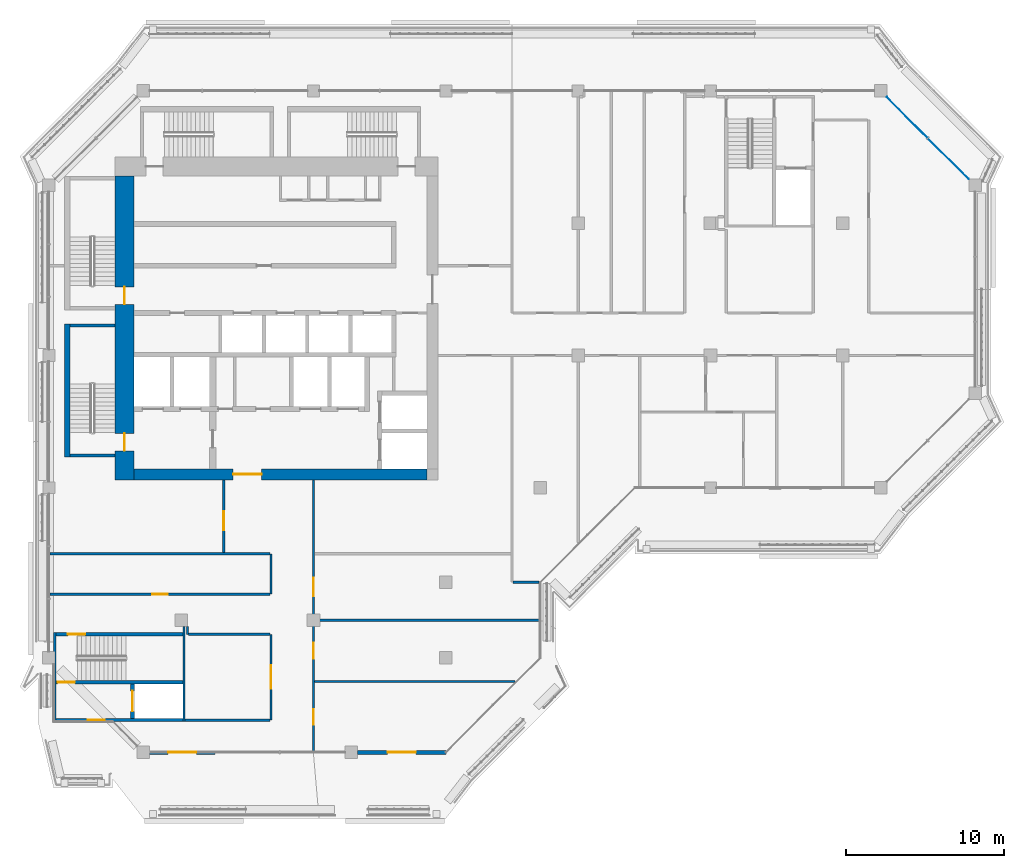
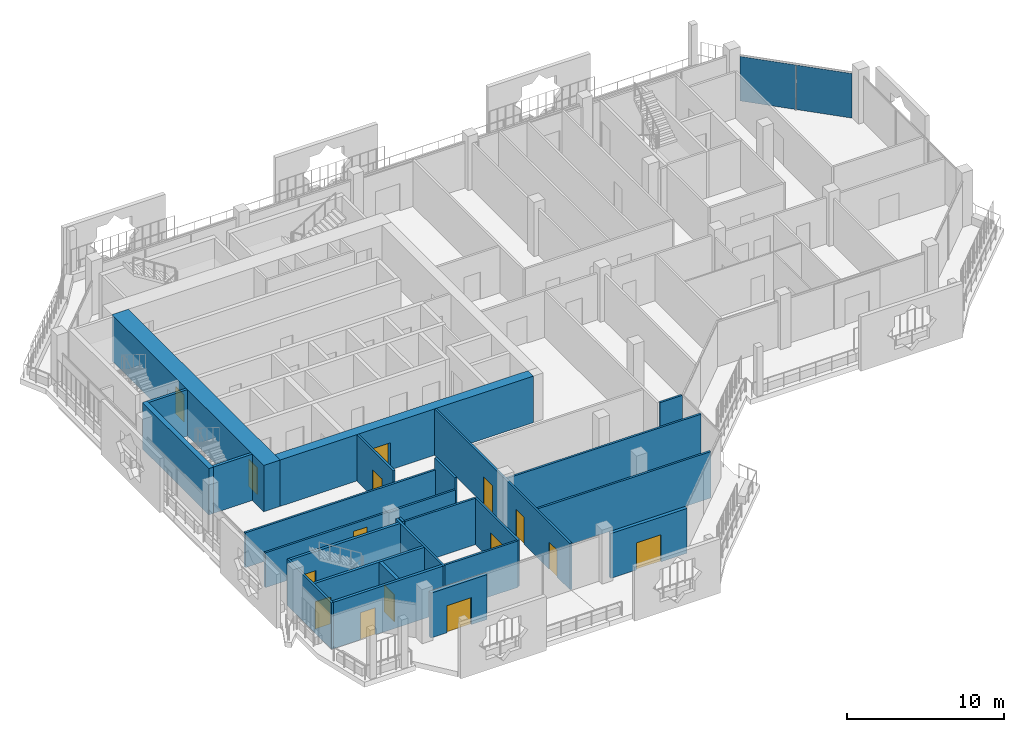
# One storey, part 10 of 22: 25 walls, 15 doors, 2 plates, 15 openings, 1 element without a shape of its own.
"""IFC4 building model written with IfcOpenShell, lengths in metres."""

import ifcopenshell
import ifcopenshell.guid

model = None  # the IFC model being written
_history = None  # IfcOwnerHistory: only IFC2X3 demands one
_inside = {}  # id of a spatial element -> (the spatial element, [elements in it])
_under = {}  # id of a project, library or spatial element -> (it, [spatial elements below it])
_declared = {}  # id of a project -> (the project, [libraries it declares])
_typed = {}  # id of a type object -> (the type object, [elements of that type])
_made_of = {}  # id of a material, layer set ... -> (it, [elements and type objects made of it])


def new_model(schema):
    """Start an empty IFC model of exactly this schema.

    Asked for "IFC4X3", IfcOpenShell would pick the latest addendum, in which some entities
    have other attributes; the version numbers below select the first issue.
    IFC2X3 requires an IfcOwnerHistory on every rooted entity: one is made here for all.
    """
    global model, _history
    if schema == "IFC4X3":
        model = ifcopenshell.file(schema_version=(4, 3, 0, 0))
    else:
        model = ifcopenshell.file(schema=schema)
    _inside.clear()
    _under.clear()
    _declared.clear()
    _typed.clear()
    _made_of.clear()
    _history = None
    if model.schema == "IFC2X3":
        org = make("IfcOrganization", Name="unknown")
        user = make(
            "IfcPersonAndOrganization",
            ThePerson=make("IfcPerson", FamilyName="unknown"),
            TheOrganization=org,
        )
        app = make(
            "IfcApplication",
            ApplicationDeveloper=org,
            Version="unknown",
            ApplicationFullName="unknown",
            ApplicationIdentifier="unknown",
        )
        _history = make(
            "IfcOwnerHistory",
            OwningUser=user,
            OwningApplication=app,
            ChangeAction="ADDED",
            CreationDate=0,
        )
    return model


def make(cls, **values):
    """One entity of the class cls with the attributes given. An attribute that is None is left unset."""
    return model.create_entity(
        cls, **{name: value for name, value in values.items() if value is not None}
    )


def rooted(cls, **values):
    """An entity with a GlobalId (a new one), such as an element, a storey or a relation."""
    return make(cls, GlobalId=ifcopenshell.guid.new(), OwnerHistory=_history, **values)


def si_unit(unit_type, name, prefix=None):
    """IfcSIUnit, for example si_unit("LENGTHUNIT", "METRE", prefix="MILLI")."""
    return make("IfcSIUnit", UnitType=unit_type, Prefix=prefix, Name=name)


def assignment(units):
    """IfcUnitAssignment: the units of a project."""
    return None if units is None else make("IfcUnitAssignment", Units=units)


def point(xyz):
    """IfcCartesianPoint."""
    return None if xyz is None else make("IfcCartesianPoint", Coordinates=xyz)


def direction(xyz):
    """IfcDirection."""
    return None if xyz is None else make("IfcDirection", DirectionRatios=xyz)


def frame(location, z_axis=None, x_axis=None):
    """IfcAxis2Placement3D, a coordinate frame: its origin and axes. An axis left out is left unset."""
    return make(
        "IfcAxis2Placement3D",
        Location=point(location),
        Axis=direction(z_axis),
        RefDirection=direction(x_axis),
    )


def frame_2d(location, x_axis=None):
    """IfcAxis2Placement2D, a coordinate frame in the plane: its origin and x axis."""
    return make(
        "IfcAxis2Placement2D", Location=point(location), RefDirection=direction(x_axis)
    )


def origin():
    """The frame at (0, 0, 0) with its axes left unset."""
    return frame((0.0, 0.0, 0.0))


def origin_2d():
    """The frame at (0, 0) in the plane with its x axis left unset."""
    return frame_2d((0.0, 0.0))


def place(relative_to, where):
    """IfcLocalPlacement: puts the frame where relative to a parent placement (None: the world)."""
    return make(
        "IfcLocalPlacement", PlacementRelTo=relative_to, RelativePlacement=where
    )


def context(
    kind, dimensions, precision=None, world=None, true_north=None, identifier=None
):
    """IfcGeometricRepresentationContext, for example the 3D "Model" context."""
    return make(
        "IfcGeometricRepresentationContext",
        ContextIdentifier=identifier,
        ContextType=kind,
        CoordinateSpaceDimension=dimensions,
        Precision=precision,
        WorldCoordinateSystem=world,
        TrueNorth=true_north,
    )


def subcontext(parent, identifier, kind, view, scale=None):
    """IfcGeometricRepresentationSubContext, for example "Body" below "Model"."""
    return make(
        "IfcGeometricRepresentationSubContext",
        ContextIdentifier=identifier,
        ContextType=kind,
        ParentContext=parent,
        TargetScale=scale,
        TargetView=view,
    )


def project(units=None, contexts=None):
    """IfcProject with its units and contexts."""
    return rooted(
        "IfcProject",
        Name="project",
        RepresentationContexts=contexts,
        UnitsInContext=assignment(units),
    )


def spatial(cls, under=None, at=None, **own):
    """A site, building, storey or space (cls), placed at a placement, below another one or the project."""
    s = rooted(cls, ObjectPlacement=at, **own)
    if under is not None:
        _under.setdefault(under.id(), (under, []))[1].append(s)
    return s


def profile(cls, at=None, kind="AREA", **sizes):
    """A parametric profile (cls). Its sizes go by their IFC names, for example OverallWidth=200.0."""
    return make(cls, ProfileType=kind, Position=at, **sizes)


def rectangle(**sizes):
    """IfcRectangleProfileDef."""
    return profile("IfcRectangleProfileDef", **sizes)


def extrude(swept, where, along, depth):
    """IfcExtrudedAreaSolid: the profile swept, set in the frame where, extruded along a direction by depth."""
    return make(
        "IfcExtrudedAreaSolid",
        SweptArea=swept,
        Position=where,
        ExtrudedDirection=direction(along),
        Depth=depth,
    )


def shape(context_of_items, identifier, shape_type, items):
    """IfcShapeRepresentation: the items that make up one representation, for example the "Body"."""
    return make(
        "IfcShapeRepresentation",
        ContextOfItems=context_of_items,
        RepresentationIdentifier=identifier,
        RepresentationType=shape_type,
        Items=items,
    )


def material(Name=None, Category=None):
    """IfcMaterial."""
    return make("IfcMaterial", Name=Name, Category=Category)


def layer(
    of_material, thickness, ventilated=None, Name=None, Category=None, Priority=None
):
    """IfcMaterialLayer: one layer of a wall or slab, of a material (None: an air gap)."""
    return make(
        "IfcMaterialLayer",
        Material=of_material,
        LayerThickness=thickness,
        IsVentilated=ventilated,
        Name=Name,
        Category=Category,
        Priority=Priority,
    )


def layer_set(layers, Name=None):
    """IfcMaterialLayerSet."""
    return make("IfcMaterialLayerSet", MaterialLayers=layers, LayerSetName=Name)


def made_of(thing, what):
    """Note that an element or type object is made of a material, layer set ...; save() writes the relation."""
    if what is not None:
        _made_of.setdefault(what.id(), (what, []))[1].append(thing)
    return thing


def type_object(cls, material=None, **own):
    """A type object (cls), such as IfcWallType, which elements share."""
    return made_of(rooted(cls, **own), material)


def element(
    cls,
    number,
    at=None,
    inside=None,
    cuts=None,
    type_object=None,
    material=None,
    context=None,
    identifier="Body",
    shape_type=None,
    held_by="IfcProductDefinitionShape",
    body=None,
    shapes=None,
    **own,
):
    """One element of the class cls, such as IfcWall. Its Tag is "e" and its number.

    at: its placement. inside: the storey or other place that contains it. cuts: it is an
    opening in that element (IfcRelVoidsElement). A single representation is given by context,
    identifier, shape_type and body (its items); several are given by shapes. held_by: the class
    of the entity that holds the representations. save() writes the other relations.
    """
    e = rooted(cls, Tag="e%d" % number, ObjectPlacement=at, **own)
    if body is not None:
        shapes = [shape(context, identifier, shape_type, body)]
    if shapes is not None:
        e.Representation = make(held_by, Representations=shapes)
    if inside is not None:
        _inside.setdefault(inside.id(), (inside, []))[1].append(e)
    if cuts is not None:
        rooted(
            "IfcRelVoidsElement", RelatingBuildingElement=cuts, RelatedOpeningElement=e
        )
    if type_object is not None:
        _typed.setdefault(type_object.id(), (type_object, []))[1].append(e)
    return made_of(e, material)


def fill(opening, filler):
    """IfcRelFillsElement: the door or window that sits in an opening."""
    return rooted(
        "IfcRelFillsElement",
        RelatingOpeningElement=opening,
        RelatedBuildingElement=filler,
    )


def aggregate(whole, parts):
    """IfcRelAggregates: a whole, such as a stair, and the parts it consists of."""
    return rooted("IfcRelAggregates", RelatingObject=whole, RelatedObjects=parts)


def save(model, path):
    """Write the relations noted so far, then the file.

    IfcRelAggregates (storeys below a building ...), IfcRelContainedInSpatialStructure (elements
    in a storey), IfcRelDefinesByType, IfcRelAssociatesMaterial and IfcRelDeclares: one each for
    every whole, place, type object, material and project.
    """
    for whole, parts in _under.values():
        aggregate(whole, parts)
    for where, things in _inside.values():
        rooted(
            "IfcRelContainedInSpatialStructure",
            RelatedElements=things,
            RelatingStructure=where,
        )
    for kind, things in _typed.values():
        rooted("IfcRelDefinesByType", RelatedObjects=things, RelatingType=kind)
    for what, things in _made_of.values():
        rooted("IfcRelAssociatesMaterial", RelatedObjects=things, RelatingMaterial=what)
    for by, libraries in _declared.values():
        rooted("IfcRelDeclares", RelatingContext=by, RelatedDefinitions=libraries)
    model.write(path)


model = new_model("IFC4")

# Units and contexts
model_context = context("Model", 3, precision=1e-05, world=origin(), true_north=direction((0.0, 1.0)))
body_context = subcontext(model_context, "Body", "Model", "MODEL_VIEW")
ifc_project = project(units=[si_unit("LENGTHUNIT", "METRE"), si_unit("AREAUNIT", "SQUARE_METRE"), si_unit("VOLUMEUNIT", "CUBIC_METRE"), si_unit("PLANEANGLEUNIT", "RADIAN"), si_unit("MASSUNIT", "GRAM", prefix="KILO")], contexts=[model_context])

# Site, building, storey
site_placement = place(None, origin())
site = spatial("IfcSite", under=ifc_project, at=site_placement, CompositionType="ELEMENT")
building_placement = place(site_placement, origin())
building = spatial("IfcBuilding", under=site, at=building_placement, Name="Kawkab Arch Medical Tower", CompositionType="ELEMENT")
storey_placement = place(building_placement, frame((0.0, 0.0, 298.60009765625)))
storey = spatial("IfcBuildingStorey", under=building, at=storey_placement, Name="L69", CompositionType="ELEMENT", Elevation=298.60009765625)

# Curtain wall, plates
ifc_material_1 = material(Name="Bronze anodised aluminium curtain wall frame", Category="aluminium")
ifc_layer_1 = layer(ifc_material_1, 0.159912109375)
ifc_layer_set_1 = layer_set([ifc_layer_1], Name="Bronze anodised aluminium curtain wall frame")
curtain_wall_type = type_object("IfcCurtainWallType", Name="CW2 chamfer curtain wall", PredefinedType="NOTDEFINED", material=ifc_layer_set_1)
curtain_wall_placement = place(storey_placement, origin())
curtain_wall = element("IfcCurtainWall", 1, at=curtain_wall_placement, inside=storey, type_object=curtain_wall_type, Name="CW2 Chamfer curtain wall R14", PredefinedType="NOTDEFINED")
ifc_material_2 = material(Name="Tinted insulating glass, bronze low-e coating", Category="glass")
ifc_layer_2 = layer(ifc_material_2, 0.031982421875)
ifc_layer_set_2 = layer_set([ifc_layer_2], Name="Tinted insulating glass, bronze low-e coating")
plate_type = type_object("IfcPlateType", Name="CW2 glazing unit 32", PredefinedType="CURTAIN_PANEL", material=ifc_layer_set_2)
plate_1_placement = place(storey_placement, frame((57.110595703125, -4.310546875, 0.0), z_axis=(0.0, 0.0, 1.0), x_axis=(-0.707106781187, 0.707106781187, 0.0)))
plate_1 = element("IfcPlate", 2, at=plate_1_placement, type_object=plate_type, Name="CW2 glazing unit 1.1", PredefinedType="CURTAIN_PANEL", context=body_context, shape_type="SweptSolid", body=[
    extrude(rectangle(XDim=3.64697265625, YDim=0.031982421875, at=origin_2d()), origin(), (0.0, 0.0, 1.0), 3.4599609375),
])
plate_2_placement = place(storey_placement, frame((54.489501953125, -1.689453125, 0.0), z_axis=(0.0, 0.0, 1.0), x_axis=(-0.707106781187, 0.707106781187, 0.0)))
plate_2 = element("IfcPlate", 3, at=plate_2_placement, type_object=plate_type, Name="CW2 glazing unit 1.2", PredefinedType="CURTAIN_PANEL", context=body_context, shape_type="SweptSolid", body=[
    extrude(rectangle(XDim=3.64697265625, YDim=0.031982421875, at=origin_2d()), origin(), (0.0, 0.0, 1.0), 3.4599609375),
])
aggregate(curtain_wall, [plate_1, plate_2])

# Wall, openings, doors
ifc_material_3 = material(Name="Concrete C50/60", Category="concrete")
ifc_layer_3 = layer(ifc_material_3, 1.199951171875)
ifc_layer_set_3 = layer_set([ifc_layer_3], Name="Concrete C50/60")
wall_type_1 = type_object("IfcWallType", Name="Core ring wall 1200 C50/60", PredefinedType="SHEAR", material=ifc_layer_set_3)
wall_1_placement = place(storey_placement, frame((4.800048828125, -24.699951171875, 0.0), z_axis=(0.0, 0.0, 1.0), x_axis=(0.0, 1.0, 0.0)))
wall_1 = element("IfcWall", 4, at=wall_1_placement, inside=storey, type_object=wall_type_1, Name="L69 core wall", PredefinedType="SHEAR", context=body_context, shape_type="SweptSolid", body=[
    extrude(rectangle(XDim=19.300048828125, YDim=1.199951171875, at=frame_2d((9.64990234375, 0.0))), origin(), (0.0, 0.0, 1.0), 3.599853515625),
])
opening_1_placement = place(wall_1_placement, frame((11.14990234375, 0.0, 0.0)))
opening_1 = element("IfcOpeningElement", 5, at=opening_1_placement, cuts=wall_1, Name="Opening SD", PredefinedType="OPENING", context=body_context, shape_type="SweptSolid", body=[
    extrude(rectangle(XDim=1.10009765625, YDim=2.10009765625, at=frame_2d((0.550048828125, 1.050048828125))), frame((0.0, 0.60986328125, 0.0), z_axis=(0.0, -1.0, 0.0), x_axis=(1.0, 0.0, 0.0)), (0.0, 0.0, 1.0), 1.219970703125),
])
opening_2_placement = place(wall_1_placement, frame((1.85009765625, 0.0, 0.0)))
opening_2 = element("IfcOpeningElement", 6, at=opening_2_placement, cuts=wall_1, Name="Opening SD", PredefinedType="OPENING", context=body_context, shape_type="SweptSolid", body=[
    extrude(rectangle(XDim=1.10009765625, YDim=2.10009765625, at=frame_2d((0.550048828125, 1.050048828125))), frame((0.0, 0.60986328125, 0.0), z_axis=(0.0, -1.0, 0.0), x_axis=(1.0, 0.0, 0.0)), (0.0, 0.0, 1.0), 1.219970703125),
])
ifc_material_4 = material(Name="Hollow metal fire door leaf")
door_type_1 = type_object("IfcDoorType", Name="Exit stair door 1100", OperationType="SINGLE_SWING_LEFT", PredefinedType="DOOR", material=ifc_material_4)
door_1_placement = place(opening_1_placement, origin())
door_1 = element("IfcDoor", 7, at=door_1_placement, inside=storey, type_object=door_type_1, Name="L69 Exit stair ST1 door", OperationType="SINGLE_SWING_LEFT", OverallHeight=2.10009765625, OverallWidth=1.10009765625, PredefinedType="DOOR", context=body_context, shape_type="SweptSolid", body=[
    extrude(rectangle(XDim=1.10009765625, YDim=2.10009765625, at=frame_2d((0.550048828125, 1.050048828125))), frame((0.0, 0.02490234375, 0.0), z_axis=(0.0, -1.0, 0.0), x_axis=(1.0, 0.0, 0.0)), (0.0, 0.0, 1.0), 0.050048828125),
])
fill(opening_1, door_1)
door_2_placement = place(opening_2_placement, origin())
door_2 = element("IfcDoor", 8, at=door_2_placement, inside=storey, type_object=door_type_1, Name="L69 Exit stair ST2 door", OperationType="SINGLE_SWING_LEFT", OverallHeight=2.10009765625, OverallWidth=1.10009765625, PredefinedType="DOOR", context=body_context, shape_type="SweptSolid", body=[
    extrude(rectangle(XDim=1.10009765625, YDim=2.10009765625, at=frame_2d((0.550048828125, 1.050048828125))), frame((0.0, 0.02490234375, 0.0), z_axis=(0.0, -1.0, 0.0), x_axis=(1.0, 0.0, 0.0)), (0.0, 0.0, 1.0), 0.050048828125),
])
fill(opening_2, door_2)

# Wall, opening, door
ifc_material_5 = material(Name="Concrete C50/60", Category="concrete")
ifc_layer_4 = layer(ifc_material_5, 0.699951171875)
ifc_layer_set_4 = layer_set([ifc_layer_4], Name="Concrete C50/60")
wall_type_2 = type_object("IfcWallType", Name="Core ring wall 700 C50/60", PredefinedType="SHEAR", material=ifc_layer_set_4)
wall_2_placement = place(storey_placement, frame((5.39990234375, -24.35009765625, 0.0), z_axis=(0.0, 0.0, 1.0), x_axis=(1.0, 0.0, 0.0)))
wall_2 = element("IfcWall", 9, at=wall_2_placement, inside=storey, type_object=wall_type_2, Name="L69 core wall", PredefinedType="SHEAR", context=body_context, shape_type="SweptSolid", body=[
    extrude(rectangle(XDim=18.60009765625, YDim=0.699951171875, at=frame_2d((9.300048828125, 0.0))), origin(), (0.0, 0.0, 1.0), 3.599853515625),
])
opening_3_placement = place(wall_2_placement, frame((6.300048828125, 0.0, 0.0)))
opening_3 = element("IfcOpeningElement", 10, at=opening_3_placement, cuts=wall_2, Name="Opening PD", PredefinedType="OPENING", context=body_context, shape_type="SweptSolid", body=[
    extrude(rectangle(XDim=1.800048828125, YDim=2.10009765625, at=frame_2d((0.89990234375, 1.050048828125))), frame((0.0, 0.35986328125, 0.0), z_axis=(0.0, -1.0, 0.0), x_axis=(1.0, 0.0, 0.0)), (0.0, 0.0, 1.0), 0.719970703125),
])
ifc_material_6 = material(Name="Hollow metal fire door leaf")
door_type_2 = type_object("IfcDoorType", Name="Core entrance doors 1800", OperationType="DOUBLE_DOOR_SINGLE_SWING", PredefinedType="DOOR", material=ifc_material_6)
door_3_placement = place(opening_3_placement, origin())
door_3 = element("IfcDoor", 11, at=door_3_placement, inside=storey, type_object=door_type_2, Name="L69 South entrance doors", OperationType="DOUBLE_DOOR_SINGLE_SWING", OverallHeight=2.10009765625, OverallWidth=1.800048828125, PredefinedType="DOOR", context=body_context, shape_type="SweptSolid", body=[
    extrude(rectangle(XDim=1.800048828125, YDim=2.10009765625, at=frame_2d((0.89990234375, 1.050048828125))), frame((0.0, 0.02490234375, 0.0), z_axis=(0.0, -1.0, 0.0), x_axis=(1.0, 0.0, 0.0)), (0.0, 0.0, 1.0), 0.050048828125),
])
fill(opening_3, door_3)

ifc_material_7 = material(Name="Concrete C60/75", Category="concrete")
ifc_layer_5 = layer(ifc_material_7, 0.25)
ifc_layer_set_5 = layer_set([ifc_layer_5], Name="Concrete C60/75")
wall_type_3 = type_object("IfcWallType", Name="Core shear wall 250 C60/75", PredefinedType="SHEAR", material=ifc_layer_set_5)
wall_3_placement = place(storey_placement, frame((5.300048828125, -39.85009765625, 0.0), z_axis=(0.0, 0.0, 1.0), x_axis=(0.0, 1.0, 0.0)))
wall_3 = element("IfcWall", 12, at=wall_3_placement, inside=storey, type_object=wall_type_3, Name="L69 core shear wall", PredefinedType="SHEAR", context=body_context, shape_type="SweptSolid", body=[
    extrude(rectangle(XDim=2.2001953125, YDim=0.25, at=frame_2d((1.10009765625, 0.0))), origin(), (0.0, 0.0, 1.0), 3.599853515625),
])
opening_4_placement = place(wall_3_placement, frame((0.449951171875, 0.0, 0.0)))
opening_4 = element("IfcOpeningElement", 13, at=opening_4_placement, cuts=wall_3, Name="Opening LD2", PredefinedType="OPENING", context=body_context, shape_type="SweptSolid", body=[
    extrude(rectangle(XDim=1.300048828125, YDim=2.10009765625, at=frame_2d((0.64990234375, 1.050048828125))), frame((0.0, 0.135009765625, 0.0), z_axis=(0.0, -1.0, 0.0), x_axis=(1.0, 0.0, 0.0)), (0.0, 0.0, 1.0), 0.27001953125),
])
ifc_material_8 = material(Name="Stainless steel lift door leaf", Category="steel")
door_type_3 = type_object("IfcDoorType", Name="Lift landing door 1300", OperationType="DOUBLE_DOOR_SLIDING", PredefinedType="DOOR", material=ifc_material_8)
door_4_placement = place(opening_4_placement, origin())
door_4 = element("IfcDoor", 14, at=door_4_placement, inside=storey, type_object=door_type_3, Name="L69 Lift landing door SV2", OperationType="DOUBLE_DOOR_SLIDING", OverallHeight=2.10009765625, OverallWidth=1.300048828125, PredefinedType="DOOR", context=body_context, shape_type="SweptSolid", body=[
    extrude(rectangle(XDim=1.300048828125, YDim=2.10009765625, at=frame_2d((0.64990234375, 1.050048828125))), frame((0.0, 0.02490234375, 0.0), z_axis=(0.0, -1.0, 0.0), x_axis=(1.0, 0.0, 0.0)), (0.0, 0.0, 1.0), 0.050048828125),
])
fill(opening_4, door_4)

ifc_material_9 = material(Name="Bronze clad insulated wall panel")
ifc_layer_6 = layer(ifc_material_9, 0.25)
ifc_layer_set_6 = layer_set([ifc_layer_6], Name="Bronze clad insulated wall panel")
wall_type_4 = type_object("IfcWallType", Name="External wall bay 250", PredefinedType="SOLIDWALL", material=ifc_layer_set_6)
wall_4_placement = place(storey_placement, frame((6.39990234375, -42.0, 0.0), z_axis=(0.0, 0.0, 1.0), x_axis=(1.0, 0.0, 0.0)))
wall_4 = element("IfcWall", 15, at=wall_4_placement, inside=storey, type_object=wall_type_4, Name="External wall bay L69.R07.1.1", PredefinedType="SOLIDWALL", context=body_context, shape_type="SweptSolid", body=[
    extrude(rectangle(XDim=4.133544921875, YDim=0.25, at=frame_2d((2.06689453125, 0.0))), origin(), (0.0, 0.0, 1.0), 3.47998046875),
])
opening_5_placement = place(wall_4_placement, frame((1.166748046875, 0.0, 0.0)))
opening_5 = element("IfcOpeningElement", 16, at=opening_5_placement, cuts=wall_4, Name="Opening W69-701", PredefinedType="OPENING", context=body_context, shape_type="SweptSolid", body=[
    extrude(rectangle(XDim=1.800048828125, YDim=2.10009765625, at=frame_2d((0.89990234375, 1.050048828125))), frame((0.0, 0.135009765625, 0.0), z_axis=(0.0, -1.0, 0.0), x_axis=(1.0, 0.0, 0.0)), (0.0, 0.0, 1.0), 0.27001953125),
])
ifc_material_10 = material(Name="Bronze anodised aluminium door with tinted glass", Category="aluminium")
door_type_4 = type_object("IfcDoorType", Name="Double external door 1800 x 2100", OperationType="DOUBLE_DOOR_SINGLE_SWING", PredefinedType="DOOR", material=ifc_material_10)
door_5_placement = place(opening_5_placement, origin())
door_5 = element("IfcDoor", 17, at=door_5_placement, inside=storey, type_object=door_type_4, Name="External door L69.R07.1.1", OperationType="DOUBLE_DOOR_SINGLE_SWING", OverallHeight=2.10009765625, OverallWidth=1.800048828125, PredefinedType="DOOR", context=body_context, shape_type="SweptSolid", body=[
    extrude(rectangle(XDim=1.800048828125, YDim=2.10009765625, at=frame_2d((0.89990234375, 1.050048828125))), frame((0.0, 0.02490234375, 0.0), z_axis=(0.0, -1.0, 0.0), x_axis=(1.0, 0.0, 0.0)), (0.0, 0.0, 1.0), 0.050048828125),
])
fill(opening_5, door_5)

wall_5_placement = place(storey_placement, frame((19.60009765625, -42.0, 0.0), z_axis=(0.0, 0.0, 1.0), x_axis=(1.0, 0.0, 0.0)))
wall_5 = element("IfcWall", 18, at=wall_5_placement, inside=storey, type_object=wall_type_4, Name="External wall bay L69.R07.2.1", PredefinedType="SOLIDWALL", context=body_context, shape_type="SweptSolid", body=[
    extrude(rectangle(XDim=5.599853515625, YDim=0.25, at=frame_2d((2.7998046875, 0.0))), origin(), (0.0, 0.0, 1.0), 3.47998046875),
])
opening_6_placement = place(wall_5_placement, frame((1.89990234375, 0.0, 0.0)))
opening_6 = element("IfcOpeningElement", 19, at=opening_6_placement, cuts=wall_5, Name="Opening W69-701", PredefinedType="OPENING", context=body_context, shape_type="SweptSolid", body=[
    extrude(rectangle(XDim=1.800048828125, YDim=2.10009765625, at=frame_2d((0.89990234375, 1.050048828125))), frame((0.0, 0.135009765625, 0.0), z_axis=(0.0, -1.0, 0.0), x_axis=(1.0, 0.0, 0.0)), (0.0, 0.0, 1.0), 0.27001953125),
])
door_6_placement = place(opening_6_placement, origin())
door_6 = element("IfcDoor", 20, at=door_6_placement, inside=storey, type_object=door_type_4, Name="External door L69.R07.2.1", OperationType="DOUBLE_DOOR_SINGLE_SWING", OverallHeight=2.10009765625, OverallWidth=1.800048828125, PredefinedType="DOOR", context=body_context, shape_type="SweptSolid", body=[
    extrude(rectangle(XDim=1.800048828125, YDim=2.10009765625, at=frame_2d((0.89990234375, 1.050048828125))), frame((0.0, 0.02490234375, 0.0), z_axis=(0.0, -1.0, 0.0), x_axis=(1.0, 0.0, 0.0)), (0.0, 0.0, 1.0), 0.050048828125),
])
fill(opening_6, door_6)

# Walls
ifc_material_11 = material(Name="Gypsum board partition on steel studs, mineral wool", Category="steel")
ifc_layer_7 = layer(ifc_material_11, 0.14990234375)
ifc_layer_set_7 = layer_set([ifc_layer_7], Name="Gypsum board partition on steel studs, mineral wool")
wall_type_5 = type_object("IfcWallType", Name="Partition 150", PredefinedType="PARTITIONING", material=ifc_layer_set_7)
wall_6_placement = place(storey_placement, frame((8.64990234375, -39.949951171875, 0.0), z_axis=(0.0, 0.0, 1.0), x_axis=(1.0, 0.0, 0.0)))
element("IfcWall", 21, at=wall_6_placement, inside=storey, type_object=wall_type_5, Name="Partition 150 w004", PredefinedType="PARTITIONING", context=body_context, shape_type="SweptSolid", body=[
    extrude(rectangle(XDim=5.375, YDim=0.14990234375, at=frame_2d((2.6875, 0.0))), origin(), (0.0, 0.0, 1.0), 3.599853515625),
])
wall_7_placement = place(storey_placement, frame((16.875, -37.5, 0.0), z_axis=(0.0, 0.0, 1.0), x_axis=(1.0, 0.0, 0.0)))
element("IfcWall", 22, at=wall_7_placement, inside=storey, type_object=wall_type_5, Name="Partition 150 w005", PredefinedType="PARTITIONING", context=body_context, shape_type="SweptSolid", body=[
    extrude(rectangle(XDim=12.7119140625, YDim=0.14990234375, at=frame_2d((6.35595703125, 0.0))), origin(), (0.0, 0.0, 1.0), 3.599853515625),
])
wall_8_placement = place(storey_placement, frame((8.875, -34.5, 0.0), z_axis=(0.0, 0.0, 1.0), x_axis=(1.0, 0.0, 0.0)))
element("IfcWall", 23, at=wall_8_placement, inside=storey, type_object=wall_type_5, Name="Partition 150 w006", PredefinedType="PARTITIONING", context=body_context, shape_type="SweptSolid", body=[
    extrude(rectangle(XDim=5.14990234375, YDim=0.14990234375, at=frame_2d((2.574951171875, 0.0))), origin(), (0.0, 0.0, 1.0), 3.599853515625),
])
wall_9_placement = place(storey_placement, frame((16.875, -33.60009765625, 0.0), z_axis=(0.0, 0.0, 1.0), x_axis=(1.0, 0.0, 0.0)))
element("IfcWall", 24, at=wall_9_placement, inside=storey, type_object=wall_type_5, Name="Partition 150 w007", PredefinedType="PARTITIONING", context=body_context, shape_type="SweptSolid", body=[
    extrude(rectangle(XDim=14.2451171875, YDim=0.14990234375, at=frame_2d((7.12255859375, 0.0))), origin(), (0.0, 0.0, 1.0), 3.599853515625),
])

# Wall, opening, door
wall_10_placement = place(storey_placement, frame((0.080078125, -31.95703125, 0.0), z_axis=(0.0, 0.0, 1.0), x_axis=(1.0, 0.0, 0.0)))
wall_10 = element("IfcWall", 25, at=wall_10_placement, inside=storey, type_object=wall_type_5, Name="Partition 150 w008", PredefinedType="PARTITIONING", context=body_context, shape_type="SweptSolid", body=[
    extrude(rectangle(XDim=13.94482421875, YDim=0.14990234375, at=frame_2d((6.972412109375, 0.0))), origin(), (0.0, 0.0, 1.0), 2.699951171875),
])
opening_7_placement = place(wall_10_placement, frame((6.469970703125, 0.0, 0.0)))
opening_7 = element("IfcOpeningElement", 26, at=opening_7_placement, cuts=wall_10, Name="Opening W69-014", PredefinedType="OPENING", context=body_context, shape_type="SweptSolid", body=[
    extrude(rectangle(XDim=1.0, YDim=2.10009765625, at=frame_2d((0.5, 1.050048828125))), frame((0.0, 0.0849609375, 0.0), z_axis=(0.0, -1.0, 0.0), x_axis=(1.0, 0.0, 0.0)), (0.0, 0.0, 1.0), 0.169921875),
])
ifc_material_12 = material(Name="Hollow metal door leaf")
door_type_5 = type_object("IfcDoorType", Name="Single door 1000x2100 FD30S", OperationType="NOTDEFINED", PredefinedType="DOOR", material=ifc_material_12)
door_7_placement = place(opening_7_placement, origin())
door_7 = element("IfcDoor", 27, at=door_7_placement, inside=storey, type_object=door_type_5, Name="Door W69-014", OperationType="SINGLE_SWING_RIGHT", OverallHeight=2.10009765625, OverallWidth=1.0, PredefinedType="DOOR", context=body_context, shape_type="SweptSolid", body=[
    extrude(rectangle(XDim=1.0, YDim=2.10009765625, at=frame_2d((0.5, 1.050048828125))), frame((0.0, 0.02490234375, 0.0), z_axis=(0.0, -1.0, 0.0), x_axis=(1.0, 0.0, 0.0)), (0.0, 0.0, 1.0), 0.050048828125),
])
fill(opening_7, door_7)

# Walls
wall_11_placement = place(storey_placement, frame((29.47705078125, -31.199951171875, 0.0), z_axis=(0.0, 0.0, 1.0), x_axis=(1.0, 0.0, 0.0)))
element("IfcWall", 28, at=wall_11_placement, inside=storey, type_object=wall_type_5, Name="Partition 150 w009", PredefinedType="PARTITIONING", context=body_context, shape_type="SweptSolid", body=[
    extrude(rectangle(XDim=1.64306640625, YDim=0.14990234375, at=frame_2d((0.821533203125, 0.0))), origin(), (0.0, 0.0, 1.0), 3.599853515625),
])
wall_12_placement = place(storey_placement, frame((0.080078125, -29.39990234375, 0.0), z_axis=(0.0, 0.0, 1.0), x_axis=(1.0, 0.0, 0.0)))
element("IfcWall", 29, at=wall_12_placement, inside=storey, type_object=wall_type_5, Name="Partition 150 w010", PredefinedType="PARTITIONING", context=body_context, shape_type="SweptSolid", body=[
    extrude(rectangle(XDim=13.94482421875, YDim=0.14990234375, at=frame_2d((6.972412109375, 0.0))), origin(), (0.0, 0.0, 1.0), 2.699951171875),
])
wall_13_placement = place(storey_placement, frame((8.800048828125, -34.5, 0.0), z_axis=(0.0, 0.0, 1.0), x_axis=(0.0, 1.0, 0.0)))
element("IfcWall", 30, at=wall_13_placement, inside=storey, type_object=wall_type_5, Name="Partition 150 w025", PredefinedType="PARTITIONING", context=body_context, shape_type="SweptSolid", body=[
    extrude(rectangle(XDim=0.4990234375, YDim=0.14990234375, at=frame_2d((0.24951171875, 0.0))), origin(), (0.0, 0.0, 1.0), 3.599853515625),
])

# Wall, opening, door
wall_14_placement = place(storey_placement, frame((11.10009765625, -29.324951171875, 0.0), z_axis=(0.0, 0.0, 1.0), x_axis=(0.0, 1.0, 0.0)))
wall_14 = element("IfcWall", 31, at=wall_14_placement, inside=storey, type_object=wall_type_5, Name="Partition 150 w026", PredefinedType="PARTITIONING", context=body_context, shape_type="SweptSolid", body=[
    extrude(rectangle(XDim=4.625, YDim=0.14990234375, at=frame_2d((2.3125, 0.0))), origin(), (0.0, 0.0, 1.0), 3.599853515625),
])
opening_8_placement = place(wall_14_placement, frame((1.425048828125, 0.0, 0.0)))
opening_8 = element("IfcOpeningElement", 32, at=opening_8_placement, cuts=wall_14, Name="Opening W69-022", PredefinedType="OPENING", context=body_context, shape_type="SweptSolid", body=[
    extrude(rectangle(XDim=1.199951171875, YDim=2.10009765625, at=frame_2d((0.60009765625, 1.050048828125))), frame((0.0, 0.0849609375, 0.0), z_axis=(0.0, -1.0, 0.0), x_axis=(1.0, 0.0, 0.0)), (0.0, 0.0, 1.0), 0.169921875),
])
ifc_material_13 = material(Name="Hollow metal door leaf")
door_type_6 = type_object("IfcDoorType", Name="Single door 1200x2100 FD30S", OperationType="NOTDEFINED", PredefinedType="DOOR", material=ifc_material_13)
door_8_placement = place(opening_8_placement, origin())
door_8 = element("IfcDoor", 33, at=door_8_placement, inside=storey, type_object=door_type_6, Name="Door W69-022", OperationType="SINGLE_SWING_LEFT", OverallHeight=2.10009765625, OverallWidth=1.199951171875, PredefinedType="DOOR", context=body_context, shape_type="SweptSolid", body=[
    extrude(rectangle(XDim=1.199951171875, YDim=2.10009765625, at=frame_2d((0.60009765625, 1.050048828125))), frame((0.0, 0.02490234375, 0.0), z_axis=(0.0, -1.0, 0.0), x_axis=(1.0, 0.0, 0.0)), (0.0, 0.0, 1.0), 0.050048828125),
])
fill(opening_8, door_8)

wall_15_placement = place(storey_placement, frame((14.10009765625, -39.949951171875, 0.0), z_axis=(0.0, 0.0, 1.0), x_axis=(0.0, 1.0, 0.0)))
wall_15 = element("IfcWall", 34, at=wall_15_placement, inside=storey, type_object=wall_type_5, Name="Partition 150 w027", PredefinedType="PARTITIONING", context=body_context, shape_type="SweptSolid", body=[
    extrude(rectangle(XDim=5.449951171875, YDim=0.14990234375, at=frame_2d((2.72509765625, 0.0))), origin(), (0.0, 0.0, 1.0), 3.599853515625),
])
opening_9_placement = place(wall_15_placement, frame((1.97509765625, 0.0, 0.0)))
opening_9 = element("IfcOpeningElement", 35, at=opening_9_placement, cuts=wall_15, Name="Opening W69-004", PredefinedType="OPENING", context=body_context, shape_type="SweptSolid", body=[
    extrude(rectangle(XDim=1.5, YDim=2.10009765625, at=frame_2d((0.75, 1.050048828125))), frame((0.0, 0.0849609375, 0.0), z_axis=(0.0, -1.0, 0.0), x_axis=(1.0, 0.0, 0.0)), (0.0, 0.0, 1.0), 0.169921875),
])
ifc_material_14 = material(Name="Hollow metal door leaf")
door_type_7 = type_object("IfcDoorType", Name="Double door 1500x2100 FD30S", OperationType="NOTDEFINED", PredefinedType="DOOR", material=ifc_material_14)
door_9_placement = place(opening_9_placement, origin())
door_9 = element("IfcDoor", 36, at=door_9_placement, inside=storey, type_object=door_type_7, Name="Door W69-004", OperationType="DOUBLE_DOOR_SINGLE_SWING", OverallHeight=2.10009765625, OverallWidth=1.5, PredefinedType="DOOR", context=body_context, shape_type="SweptSolid", body=[
    extrude(rectangle(XDim=1.5, YDim=2.10009765625, at=frame_2d((0.75, 1.050048828125))), frame((0.0, 0.02490234375, 0.0), z_axis=(0.0, -1.0, 0.0), x_axis=(1.0, 0.0, 0.0)), (0.0, 0.0, 1.0), 0.050048828125),
])
fill(opening_9, door_9)

# Wall
wall_16_placement = place(storey_placement, frame((14.10009765625, -31.95703125, 0.0), z_axis=(0.0, 0.0, 1.0), x_axis=(0.0, 1.0, 0.0)))
element("IfcWall", 37, at=wall_16_placement, inside=storey, type_object=wall_type_5, Name="Partition 150 w028", PredefinedType="PARTITIONING", context=body_context, shape_type="SweptSolid", body=[
    extrude(rectangle(XDim=2.55712890625, YDim=0.14990234375, at=frame_2d((1.278564453125, 0.0))), origin(), (0.0, 0.0, 1.0), 3.599853515625),
])

# Wall, openings, doors
wall_17_placement = place(storey_placement, frame((16.800048828125, -41.919921875, 0.0), z_axis=(0.0, 0.0, 1.0), x_axis=(0.0, 1.0, 0.0)))
wall_17 = element("IfcWall", 38, at=wall_17_placement, inside=storey, type_object=wall_type_5, Name="Partition 150 w029", PredefinedType="PARTITIONING", context=body_context, shape_type="SweptSolid", body=[
    extrude(rectangle(XDim=17.219970703125, YDim=0.14990234375, at=frame_2d((8.60986328125, 0.0))), origin(), (0.0, 0.0, 1.0), 3.599853515625),
])
opening_10_placement = place(wall_17_placement, frame((9.820068359375, 0.0, 0.0)))
opening_10 = element("IfcOpeningElement", 39, at=opening_10_placement, cuts=wall_17, Name="Opening W69-023", PredefinedType="OPENING", context=body_context, shape_type="SweptSolid", body=[
    extrude(rectangle(XDim=1.199951171875, YDim=2.10009765625, at=frame_2d((0.60009765625, 1.050048828125))), frame((0.0, 0.0849609375, 0.0), z_axis=(0.0, -1.0, 0.0), x_axis=(1.0, 0.0, 0.0)), (0.0, 0.0, 1.0), 0.169921875),
])
opening_11_placement = place(wall_17_placement, frame((5.8701171875, 0.0, 0.0)))
opening_11 = element("IfcOpeningElement", 40, at=opening_11_placement, cuts=wall_17, Name="Opening W69-015", PredefinedType="OPENING", context=body_context, shape_type="SweptSolid", body=[
    extrude(rectangle(XDim=1.0, YDim=2.10009765625, at=frame_2d((0.5, 1.050048828125))), frame((0.0, 0.0849609375, 0.0), z_axis=(0.0, -1.0, 0.0), x_axis=(1.0, 0.0, 0.0)), (0.0, 0.0, 1.0), 0.169921875),
])
opening_12_placement = place(wall_17_placement, frame((1.669921875, 0.0, 0.0)))
opening_12 = element("IfcOpeningElement", 41, at=opening_12_placement, cuts=wall_17, Name="Opening W69-016", PredefinedType="OPENING", context=body_context, shape_type="SweptSolid", body=[
    extrude(rectangle(XDim=1.0, YDim=2.10009765625, at=frame_2d((0.5, 1.050048828125))), frame((0.0, 0.0849609375, 0.0), z_axis=(0.0, -1.0, 0.0), x_axis=(1.0, 0.0, 0.0)), (0.0, 0.0, 1.0), 0.169921875),
])
door_10_placement = place(opening_11_placement, origin())
door_10 = element("IfcDoor", 42, at=door_10_placement, inside=storey, type_object=door_type_5, Name="Door W69-015", OperationType="SINGLE_SWING_RIGHT", OverallHeight=2.10009765625, OverallWidth=1.0, PredefinedType="DOOR", context=body_context, shape_type="SweptSolid", body=[
    extrude(rectangle(XDim=1.0, YDim=2.10009765625, at=frame_2d((0.5, 1.050048828125))), frame((0.0, 0.02490234375, 0.0), z_axis=(0.0, -1.0, 0.0), x_axis=(1.0, 0.0, 0.0)), (0.0, 0.0, 1.0), 0.050048828125),
])
fill(opening_11, door_10)
door_11_placement = place(opening_12_placement, origin())
door_11 = element("IfcDoor", 43, at=door_11_placement, inside=storey, type_object=door_type_5, Name="Door W69-016", OperationType="SINGLE_SWING_RIGHT", OverallHeight=2.10009765625, OverallWidth=1.0, PredefinedType="DOOR", context=body_context, shape_type="SweptSolid", body=[
    extrude(rectangle(XDim=1.0, YDim=2.10009765625, at=frame_2d((0.5, 1.050048828125))), frame((0.0, 0.02490234375, 0.0), z_axis=(0.0, -1.0, 0.0), x_axis=(1.0, 0.0, 0.0)), (0.0, 0.0, 1.0), 0.050048828125),
])
fill(opening_12, door_11)
door_12_placement = place(opening_10_placement, origin())
door_12 = element("IfcDoor", 44, at=door_12_placement, inside=storey, type_object=door_type_6, Name="Door W69-023", OperationType="SINGLE_SWING_LEFT", OverallHeight=2.10009765625, OverallWidth=1.199951171875, PredefinedType="DOOR", context=body_context, shape_type="SweptSolid", body=[
    extrude(rectangle(XDim=1.199951171875, YDim=2.10009765625, at=frame_2d((0.60009765625, 1.050048828125))), frame((0.0, 0.02490234375, 0.0), z_axis=(0.0, -1.0, 0.0), x_axis=(1.0, 0.0, 0.0)), (0.0, 0.0, 1.0), 0.050048828125),
])
fill(opening_10, door_12)

# Walls
ifc_material_15 = material(Name="Concrete C50/60", Category="concrete")
ifc_layer_8 = layer(ifc_material_15, 0.14990234375)
ifc_layer_set_8 = layer_set([ifc_layer_8], Name="Concrete C50/60")
wall_type_6 = type_object("IfcWallType", Name="Stair enclosure wall 150 C50/60", PredefinedType="SHEAR", material=ifc_layer_set_8)
wall_18_placement = place(storey_placement, frame((0.375, -40.050048828125, 0.0), z_axis=(0.0, 0.0, 1.0), x_axis=(0.0, 1.0, 0.0)))
element("IfcWall", 45, at=wall_18_placement, inside=storey, type_object=wall_type_6, Name="L69 stair enclosure wall", PredefinedType="SHEAR", context=body_context, shape_type="SweptSolid", body=[
    extrude(rectangle(XDim=5.650146484375, YDim=0.14990234375, at=frame_2d((2.8251953125, 0.0))), origin(), (0.0, 0.0, 1.0), 3.599853515625),
])
wall_19_placement = place(storey_placement, frame((8.574951171875, -40.050048828125, 0.0), z_axis=(0.0, 0.0, 1.0), x_axis=(0.0, 1.0, 0.0)))
element("IfcWall", 46, at=wall_19_placement, inside=storey, type_object=wall_type_6, Name="L69 stair enclosure wall", PredefinedType="SHEAR", context=body_context, shape_type="SweptSolid", body=[
    extrude(rectangle(XDim=6.050048828125, YDim=0.14990234375, at=frame_2d((3.02490234375, 0.0))), origin(), (0.0, 0.0, 1.0), 3.599853515625),
])
ifc_material_16 = material(Name="Concrete C50/60", Category="concrete")
ifc_layer_9 = layer(ifc_material_16, 0.199951171875)
ifc_layer_set_9 = layer_set([ifc_layer_9], Name="Concrete C50/60")
wall_type_7 = type_object("IfcWallType", Name="Stair enclosure wall 200 C50/60", PredefinedType="SHEAR", material=ifc_layer_set_9)
for number, where, z_axis, x_axis, name in (
    (47, (1.35009765625, -14.89990234375, 0.0), (0.0, 0.0, 1.0), (1.0, 0.0, 0.0), "L69 stair enclosure wall"),
    (48, (1.35009765625, -23.14990234375, 0.0), (0.0, 0.0, 1.0), (1.0, 0.0, 0.0), "L69 stair enclosure wall"),
):
    element("IfcWall", number, at=place(storey_placement, frame(where, z_axis=z_axis, x_axis=x_axis)), inside=storey, type_object=wall_type_7, Name=name, PredefinedType="SHEAR", context=body_context, shape_type="SweptSolid", body=[
        extrude(rectangle(XDim=2.849853515625, YDim=0.199951171875, at=frame_2d((1.4248046875, 0.0))), origin(), (0.0, 0.0, 1.0), 3.599853515625),
    ])

# Wall, opening, door
wall_20_placement = place(storey_placement, frame((0.449951171875, -34.5, 0.0), z_axis=(0.0, 0.0, 1.0), x_axis=(1.0, 0.0, 0.0)))
wall_20 = element("IfcWall", 49, at=wall_20_placement, inside=storey, type_object=wall_type_7, Name="L69 stair enclosure wall", PredefinedType="SHEAR", context=body_context, shape_type="SweptSolid", body=[
    extrude(rectangle(XDim=8.050048828125, YDim=0.199951171875, at=frame_2d((4.02490234375, 0.0))), origin(), (0.0, 0.0, 1.0), 3.599853515625),
])
opening_13_placement = place(wall_20_placement, frame((0.75, 0.0, 0.0)))
opening_13 = element("IfcOpeningElement", 50, at=opening_13_placement, cuts=wall_20, Name="Opening SD", PredefinedType="OPENING", context=body_context, shape_type="SweptSolid", body=[
    extrude(rectangle(XDim=1.10009765625, YDim=2.10009765625, at=frame_2d((0.550048828125, 1.050048828125))), frame((0.0, 0.10986328125, 0.0), z_axis=(0.0, -1.0, 0.0), x_axis=(1.0, 0.0, 0.0)), (0.0, 0.0, 1.0), 0.219970703125),
])
door_13_placement = place(opening_13_placement, origin())
door_13 = element("IfcDoor", 51, at=door_13_placement, inside=storey, type_object=door_type_1, Name="L69 Exit stair ST6 door", OperationType="SINGLE_SWING_LEFT", OverallHeight=2.10009765625, OverallWidth=1.10009765625, PredefinedType="DOOR", context=body_context, shape_type="SweptSolid", body=[
    extrude(rectangle(XDim=1.10009765625, YDim=2.10009765625, at=frame_2d((0.550048828125, 1.050048828125))), frame((0.0, 0.02490234375, 0.0), z_axis=(0.0, -1.0, 0.0), x_axis=(1.0, 0.0, 0.0)), (0.0, 0.0, 1.0), 0.050048828125),
])
fill(opening_13, door_13)

wall_21_placement = place(storey_placement, frame((0.449951171875, -37.550048828125, 0.0), z_axis=(0.0, 0.0, 1.0), x_axis=(1.0, 0.0, 0.0)))
wall_21 = element("IfcWall", 52, at=wall_21_placement, inside=storey, type_object=wall_type_7, Name="L69 stair enclosure wall", PredefinedType="SHEAR", context=body_context, shape_type="SweptSolid", body=[
    extrude(rectangle(XDim=8.050048828125, YDim=0.199951171875, at=frame_2d((4.02490234375, 0.0))), origin(), (0.0, 0.0, 1.0), 3.599853515625),
])
opening_14_placement = place(wall_21_placement, frame((0.10009765625, 0.0, 0.0)))
opening_14 = element("IfcOpeningElement", 53, at=opening_14_placement, cuts=wall_21, Name="Opening SD", PredefinedType="OPENING", context=body_context, shape_type="SweptSolid", body=[
    extrude(rectangle(XDim=1.10009765625, YDim=2.10009765625, at=frame_2d((0.550048828125, 1.050048828125))), frame((0.0, 0.10986328125, 0.0), z_axis=(0.0, -1.0, 0.0), x_axis=(1.0, 0.0, 0.0)), (0.0, 0.0, 1.0), 0.219970703125),
])
door_14_placement = place(opening_14_placement, frame((1.10009765625, 0.0, 0.0), z_axis=(0.0, 0.0, 1.0), x_axis=(-1.0, 0.0, 0.0)))
door_14 = element("IfcDoor", 54, at=door_14_placement, inside=storey, type_object=door_type_1, Name="L69 Exit stair ST6 lobby door", OperationType="SINGLE_SWING_LEFT", OverallHeight=2.10009765625, OverallWidth=1.10009765625, PredefinedType="DOOR", context=body_context, shape_type="SweptSolid", body=[
    extrude(rectangle(XDim=1.10009765625, YDim=2.10009765625, at=frame_2d((0.550048828125, 1.050048828125))), frame((0.0, 0.02490234375, 0.0), z_axis=(0.0, -1.0, 0.0), x_axis=(1.0, 0.0, 0.0)), (0.0, 0.0, 1.0), 0.050048828125),
])
fill(opening_14, door_14)

wall_22_placement = place(storey_placement, frame((0.449951171875, -39.949951171875, 0.0), z_axis=(0.0, 0.0, 1.0), x_axis=(1.0, 0.0, 0.0)))
wall_22 = element("IfcWall", 55, at=wall_22_placement, inside=storey, type_object=wall_type_7, Name="L69 stair enclosure wall", PredefinedType="SHEAR", context=body_context, shape_type="SweptSolid", body=[
    extrude(rectangle(XDim=8.050048828125, YDim=0.199951171875, at=frame_2d((4.02490234375, 0.0))), origin(), (0.0, 0.0, 1.0), 3.599853515625),
])
opening_15_placement = place(wall_22_placement, frame((2.0, 0.0, 0.0)))
opening_15 = element("IfcOpeningElement", 56, at=opening_15_placement, cuts=wall_22, Name="Opening FD", PredefinedType="OPENING", context=body_context, shape_type="SweptSolid", body=[
    extrude(rectangle(XDim=1.10009765625, YDim=2.10009765625, at=frame_2d((0.550048828125, 1.050048828125))), frame((0.0, 0.10986328125, 0.0), z_axis=(0.0, -1.0, 0.0), x_axis=(1.0, 0.0, 0.0)), (0.0, 0.0, 1.0), 0.219970703125),
])
ifc_material_17 = material(Name="Hollow metal fire door leaf")
door_type_8 = type_object("IfcDoorType", Name="Firefighting lobby door 1100", OperationType="SINGLE_SWING_LEFT", PredefinedType="DOOR", material=ifc_material_17)
door_15_placement = place(opening_15_placement, origin())
door_15 = element("IfcDoor", 57, at=door_15_placement, inside=storey, type_object=door_type_8, Name="L69 Service lift lobby door SV2", OperationType="SINGLE_SWING_LEFT", OverallHeight=2.10009765625, OverallWidth=1.10009765625, PredefinedType="DOOR", context=body_context, shape_type="SweptSolid", body=[
    extrude(rectangle(XDim=1.10009765625, YDim=2.10009765625, at=frame_2d((0.550048828125, 1.050048828125))), frame((0.0, 0.02490234375, 0.0), z_axis=(0.0, -1.0, 0.0), x_axis=(1.0, 0.0, 0.0)), (0.0, 0.0, 1.0), 0.050048828125),
])
fill(opening_15, door_15)

# Wall
ifc_material_18 = material(Name="Concrete C50/60", Category="concrete")
ifc_layer_10 = layer(ifc_material_18, 0.35009765625)
ifc_layer_set_10 = layer_set([ifc_layer_10], Name="Concrete C50/60")
wall_type_8 = type_object("IfcWallType", Name="Stair enclosure wall 350 C50/60", PredefinedType="SHEAR", material=ifc_layer_set_10)
wall_23_placement = place(storey_placement, frame((1.175048828125, -23.25, 0.0), z_axis=(0.0, 0.0, 1.0), x_axis=(0.0, 1.0, 0.0)))
element("IfcWall", 58, at=wall_23_placement, inside=storey, type_object=wall_type_8, Name="L69 stair enclosure wall", PredefinedType="SHEAR", context=body_context, shape_type="SweptSolid", body=[
    extrude(rectangle(XDim=8.449951171875, YDim=0.35009765625, at=frame_2d((4.22509765625, 0.0))), origin(), (0.0, 0.0, 1.0), 3.599853515625),
])

save(model, "model.ifc")
